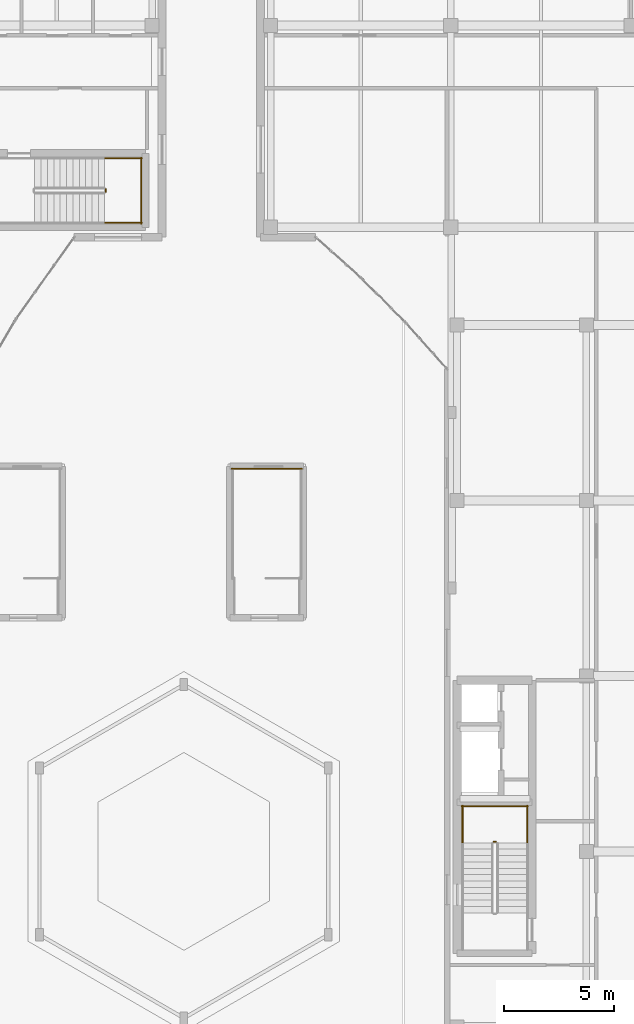
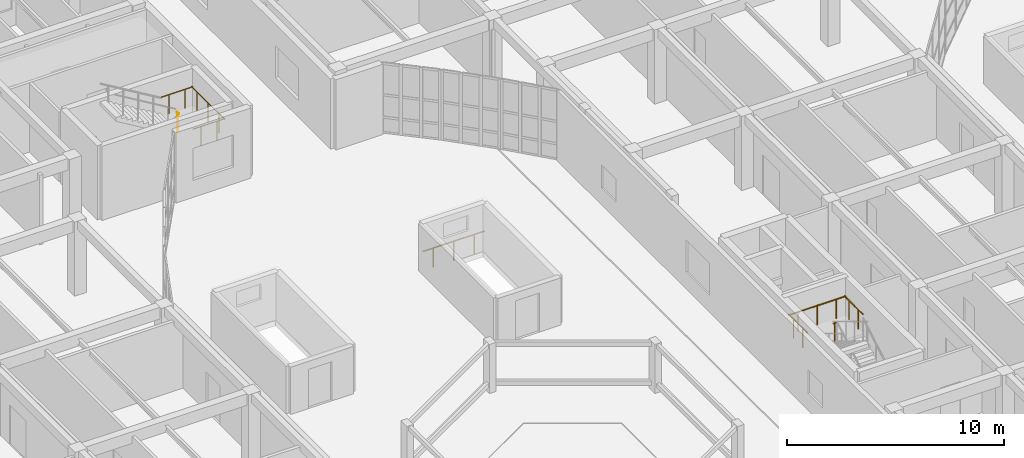
# One storey, part 101 of 114: 9 railings.
"""IFC4 building model written with IfcOpenShell, lengths in metres."""

from ifc_helpers import new_model, si_unit, direction, frame, origin, origin_2d, place, context, subcontext, project, spatial, circle, extrude, material, type_object, element, save


model = new_model("IFC4")

# Units and contexts
model_context = context("Model", 3, precision=1e-05, world=origin(), true_north=direction((0.0, 1.0)))
body_context = subcontext(model_context, "Body", "Model", "MODEL_VIEW")
ifc_project = project(units=[si_unit("LENGTHUNIT", "METRE"), si_unit("AREAUNIT", "SQUARE_METRE"), si_unit("VOLUMEUNIT", "CUBIC_METRE"), si_unit("PLANEANGLEUNIT", "RADIAN"), si_unit("MASSUNIT", "GRAM", prefix="KILO")], contexts=[model_context])

# Site, building, storey
site_placement = place(None, origin())
site = spatial("IfcSite", under=ifc_project, at=site_placement, CompositionType="ELEMENT")
building_placement = place(site_placement, origin())
building = spatial("IfcBuilding", under=site, at=building_placement, Name="Keldmere Railside Commons", CompositionType="ELEMENT")
storey_placement = place(building_placement, origin())
storey = spatial("IfcBuildingStorey", under=building, at=storey_placement, Name="L00", CompositionType="ELEMENT", Elevation=0.0)

# Railings
ifc_material = material(Name="Steel F-24 (S235)", Category="steel")
railing_type = type_object("IfcRailingType", Name="Stair Well Steel Guardrail 1100", PredefinedType="BALUSTRADE", material=ifc_material)
railing_1_placement = place(storey_placement, frame((32.43994140625, 102.050048828125, 2.080078125)))
element("IfcRailing", 1, at=railing_1_placement, inside=storey, type_object=railing_type, Name="L00 ST-D2 stair guard 2", PredefinedType="BALUSTRADE", context=body_context, shape_type="SweptSolid", body=[
    extrude(circle(Radius=0.02392578125, at=origin_2d()), frame((0.0, 0.0, 1.076171875), z_axis=(0.0, 1.0, 0.0), x_axis=(-1.0, 0.0, 0.0)), (0.0, 0.0, 1.0), 0.14990234375),
    extrude(circle(Radius=0.02099609375, at=origin_2d()), frame((0.0, 0.074951171875, 0.0)), (0.0, 0.0, 1.0), 1.048095703125),
])
for number, where, name in (
    (2, (32.389892578125, 100.64990234375, 2.080078125), "L00 ST-D2 stair guard 3"),
    (3, (32.389892578125, 103.60009765625, 2.080078125), "L00 ST-D2 stair guard 4"),
):
    element("IfcRailing", number, at=place(storey_placement, frame(where)), inside=storey, type_object=railing_type, Name=name, PredefinedType="BALUSTRADE", context=body_context, shape_type="SweptSolid", body=[
        extrude(circle(Radius=0.02392578125, at=origin_2d()), frame((0.0, 0.0, 1.076171875), z_axis=(1.0, 0.0, 0.0), x_axis=(0.0, 1.0, 0.0)), (0.0, 0.0, 1.0), 1.710205078125),
        extrude(circle(Radius=0.02099609375, at=origin_2d()), frame((0.427490234375, 0.0, 0.0)), (0.0, 0.0, 1.0), 1.048095703125),
        extrude(circle(Radius=0.02099609375, at=origin_2d()), frame((1.28271484375, 0.0, 0.0)), (0.0, 0.0, 1.0), 1.048095703125),
    ])
railing_2_placement = place(storey_placement, frame((34.050048828125, 100.60009765625, 2.080078125)))
element("IfcRailing", 4, at=railing_2_placement, inside=storey, type_object=railing_type, Name="L00 ST-D2 stair guard 5", PredefinedType="BALUSTRADE", context=body_context, shape_type="SweptSolid", body=[
    extrude(circle(Radius=0.02392578125, at=origin_2d()), frame((0.0, 0.0, 1.076171875), z_axis=(0.0, 1.0, 0.0), x_axis=(-1.0, 0.0, 0.0)), (0.0, 0.0, 1.0), 3.0498046875),
    extrude(circle(Radius=0.02099609375, at=origin_2d()), frame((0.0, 0.50830078125, 0.0)), (0.0, 0.0, 1.0), 1.048095703125),
    extrude(circle(Radius=0.02099609375, at=origin_2d()), frame((0.0, 1.52490234375, 0.0)), (0.0, 0.0, 1.0), 1.048095703125),
    extrude(circle(Radius=0.02099609375, at=origin_2d()), frame((0.0, 2.54150390625, 0.0)), (0.0, 0.0, 1.0), 1.048095703125),
])
railing_3_placement = place(storey_placement, frame((50.25, 72.43994140625, 2.080078125)))
element("IfcRailing", 5, at=railing_3_placement, inside=storey, type_object=railing_type, Name="L00 ST-C1 stair guard 2", PredefinedType="BALUSTRADE", context=body_context, shape_type="SweptSolid", body=[
    extrude(circle(Radius=0.02392578125, at=origin_2d()), frame((0.0, 0.0, 1.076171875), z_axis=(-1.0, 0.0, 0.0), x_axis=(0.0, -1.0, 0.0)), (0.0, 0.0, 1.0), 0.14990234375),
    extrude(circle(Radius=0.02099609375, at=origin_2d()), frame((-0.074951171875, 0.0, 0.0)), (0.0, 0.0, 1.0), 1.048095703125),
])
for number, where, name in (
    (6, (51.64990234375, 72.389892578125, 2.080078125), "L00 ST-C1 stair guard 3"),
    (7, (48.699951171875, 72.389892578125, 2.080078125), "L00 ST-C1 stair guard 4"),
):
    element("IfcRailing", number, at=place(storey_placement, frame(where)), inside=storey, type_object=railing_type, Name=name, PredefinedType="BALUSTRADE", context=body_context, shape_type="SweptSolid", body=[
        extrude(circle(Radius=0.02392578125, at=origin_2d()), frame((0.0, 0.0, 1.076171875), z_axis=(0.0, 1.0, 0.0), x_axis=(-1.0, 0.0, 0.0)), (0.0, 0.0, 1.0), 1.710205078125),
        extrude(circle(Radius=0.02099609375, at=origin_2d()), frame((0.0, 0.427490234375, 0.0)), (0.0, 0.0, 1.0), 1.048095703125),
        extrude(circle(Radius=0.02099609375, at=origin_2d()), frame((0.0, 1.28271484375, 0.0)), (0.0, 0.0, 1.0), 1.048095703125),
    ])
railing_4_placement = place(storey_placement, frame((51.699951171875, 74.050048828125, 2.080078125)))
element("IfcRailing", 8, at=railing_4_placement, inside=storey, type_object=railing_type, Name="L00 ST-C1 stair guard 5", PredefinedType="BALUSTRADE", context=body_context, shape_type="SweptSolid", body=[
    extrude(circle(Radius=0.02392578125, at=origin_2d()), frame((0.0, 0.0, 1.076171875), z_axis=(-1.0, 0.0, 0.0), x_axis=(0.0, -1.0, 0.0)), (0.0, 0.0, 1.0), 3.050048828125),
    extrude(circle(Radius=0.02099609375, at=origin_2d()), frame((-0.50830078125, 0.0, 0.0)), (0.0, 0.0, 1.0), 1.048095703125),
    extrude(circle(Radius=0.02099609375, at=origin_2d()), frame((-1.52490234375, 0.0, 0.0)), (0.0, 0.0, 1.0), 1.048095703125),
    extrude(circle(Radius=0.02099609375, at=origin_2d()), frame((-2.541748046875, 0.0, 0.0)), (0.0, 0.0, 1.0), 1.048095703125),
])
railing_5_placement = place(storey_placement, frame((41.39990234375, 89.449951171875, 0.0)))
element("IfcRailing", 9, at=railing_5_placement, inside=storey, type_object=railing_type, Name="L00 ST-B2 top well guard 4", PredefinedType="BALUSTRADE", context=body_context, shape_type="SweptSolid", body=[
    extrude(circle(Radius=0.02392578125, at=origin_2d()), frame((0.0, 0.0, 1.076171875), z_axis=(-1.0, 0.0, 0.0), x_axis=(0.0, -1.0, 0.0)), (0.0, 0.0, 1.0), 3.25),
    extrude(circle(Radius=0.02099609375, at=origin_2d()), frame((-0.541748046875, 0.0, 0.0)), (0.0, 0.0, 1.0), 1.048095703125),
    extrude(circle(Radius=0.02099609375, at=origin_2d()), frame((-1.625, 0.0, 0.0)), (0.0, 0.0, 1.0), 1.048095703125),
    extrude(circle(Radius=0.02099609375, at=origin_2d()), frame((-2.708251953125, 0.0, 0.0)), (0.0, 0.0, 1.0), 1.048095703125),
])

save(model, "model.ifc")
